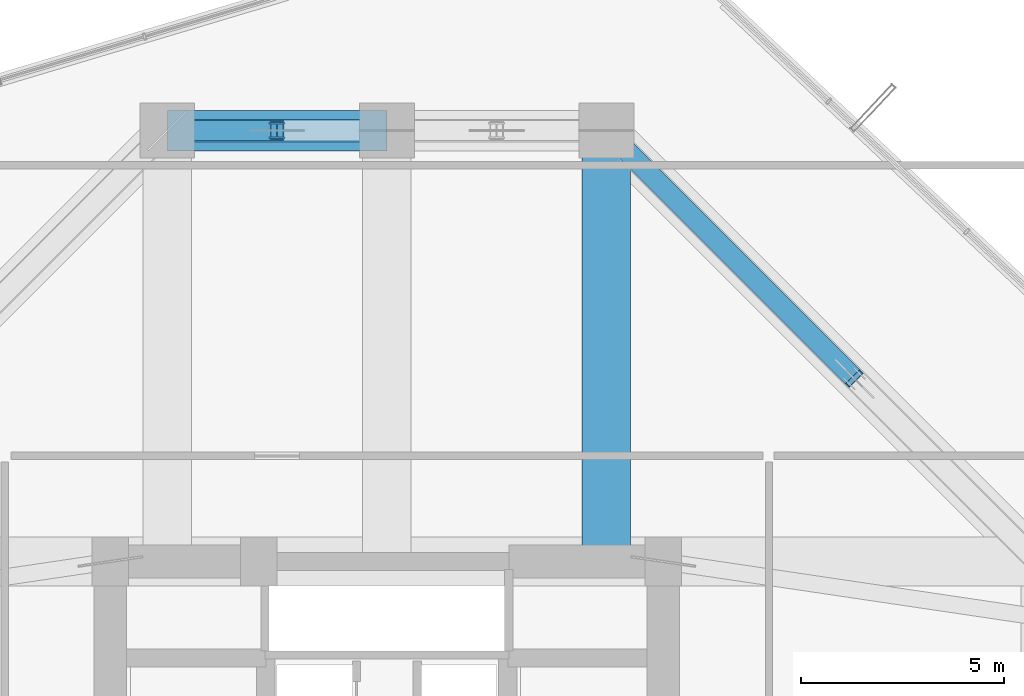
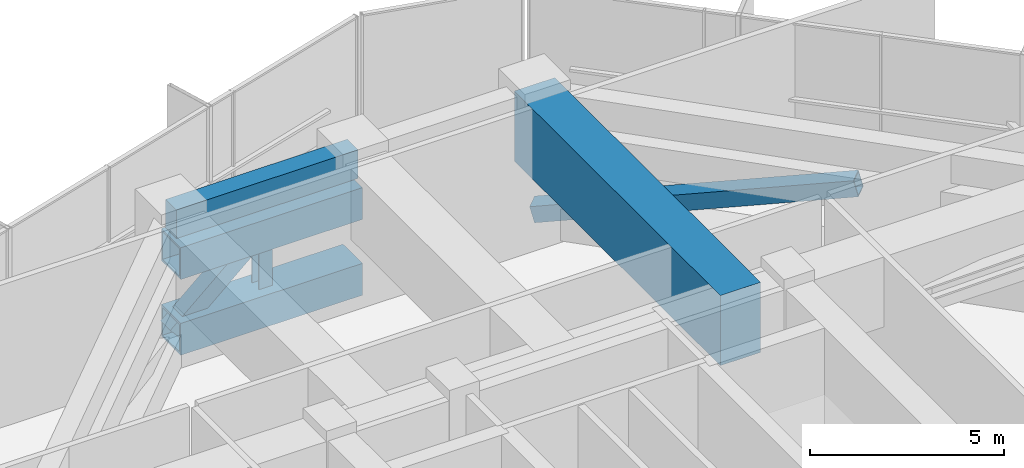
# One storey, part 26 of 41: 5 members, 2 beams.
"""IFC4 building model written with IfcOpenShell, lengths in metres."""

import ifcopenshell
import ifcopenshell.guid

model = None  # the IFC model being written
_history = None  # IfcOwnerHistory: only IFC2X3 demands one
_inside = {}  # id of a spatial element -> (the spatial element, [elements in it])
_under = {}  # id of a project, library or spatial element -> (it, [spatial elements below it])
_declared = {}  # id of a project -> (the project, [libraries it declares])
_typed = {}  # id of a type object -> (the type object, [elements of that type])
_made_of = {}  # id of a material, layer set ... -> (it, [elements and type objects made of it])


def new_model(schema):
    """Start an empty IFC model of exactly this schema.

    Asked for "IFC4X3", IfcOpenShell would pick the latest addendum, in which some entities
    have other attributes; the version numbers below select the first issue.
    IFC2X3 requires an IfcOwnerHistory on every rooted entity: one is made here for all.
    """
    global model, _history
    if schema == "IFC4X3":
        model = ifcopenshell.file(schema_version=(4, 3, 0, 0))
    else:
        model = ifcopenshell.file(schema=schema)
    _inside.clear()
    _under.clear()
    _declared.clear()
    _typed.clear()
    _made_of.clear()
    _history = None
    if model.schema == "IFC2X3":
        org = make("IfcOrganization", Name="unknown")
        user = make(
            "IfcPersonAndOrganization",
            ThePerson=make("IfcPerson", FamilyName="unknown"),
            TheOrganization=org,
        )
        app = make(
            "IfcApplication",
            ApplicationDeveloper=org,
            Version="unknown",
            ApplicationFullName="unknown",
            ApplicationIdentifier="unknown",
        )
        _history = make(
            "IfcOwnerHistory",
            OwningUser=user,
            OwningApplication=app,
            ChangeAction="ADDED",
            CreationDate=0,
        )
    return model


def make(cls, **values):
    """One entity of the class cls with the attributes given. An attribute that is None is left unset."""
    return model.create_entity(
        cls, **{name: value for name, value in values.items() if value is not None}
    )


def rooted(cls, **values):
    """An entity with a GlobalId (a new one), such as an element, a storey or a relation."""
    return make(cls, GlobalId=ifcopenshell.guid.new(), OwnerHistory=_history, **values)


def si_unit(unit_type, name, prefix=None):
    """IfcSIUnit, for example si_unit("LENGTHUNIT", "METRE", prefix="MILLI")."""
    return make("IfcSIUnit", UnitType=unit_type, Prefix=prefix, Name=name)


def assignment(units):
    """IfcUnitAssignment: the units of a project."""
    return None if units is None else make("IfcUnitAssignment", Units=units)


def point(xyz):
    """IfcCartesianPoint."""
    return None if xyz is None else make("IfcCartesianPoint", Coordinates=xyz)


def direction(xyz):
    """IfcDirection."""
    return None if xyz is None else make("IfcDirection", DirectionRatios=xyz)


def frame(location, z_axis=None, x_axis=None):
    """IfcAxis2Placement3D, a coordinate frame: its origin and axes. An axis left out is left unset."""
    return make(
        "IfcAxis2Placement3D",
        Location=point(location),
        Axis=direction(z_axis),
        RefDirection=direction(x_axis),
    )


def frame_2d(location, x_axis=None):
    """IfcAxis2Placement2D, a coordinate frame in the plane: its origin and x axis."""
    return make(
        "IfcAxis2Placement2D", Location=point(location), RefDirection=direction(x_axis)
    )


def origin():
    """The frame at (0, 0, 0) with its axes left unset."""
    return frame((0.0, 0.0, 0.0))


def origin_2d():
    """The frame at (0, 0) in the plane with its x axis left unset."""
    return frame_2d((0.0, 0.0))


def place(relative_to, where):
    """IfcLocalPlacement: puts the frame where relative to a parent placement (None: the world)."""
    return make(
        "IfcLocalPlacement", PlacementRelTo=relative_to, RelativePlacement=where
    )


def context(
    kind, dimensions, precision=None, world=None, true_north=None, identifier=None
):
    """IfcGeometricRepresentationContext, for example the 3D "Model" context."""
    return make(
        "IfcGeometricRepresentationContext",
        ContextIdentifier=identifier,
        ContextType=kind,
        CoordinateSpaceDimension=dimensions,
        Precision=precision,
        WorldCoordinateSystem=world,
        TrueNorth=true_north,
    )


def subcontext(parent, identifier, kind, view, scale=None):
    """IfcGeometricRepresentationSubContext, for example "Body" below "Model"."""
    return make(
        "IfcGeometricRepresentationSubContext",
        ContextIdentifier=identifier,
        ContextType=kind,
        ParentContext=parent,
        TargetScale=scale,
        TargetView=view,
    )


def project(units=None, contexts=None):
    """IfcProject with its units and contexts."""
    return rooted(
        "IfcProject",
        Name="project",
        RepresentationContexts=contexts,
        UnitsInContext=assignment(units),
    )


def spatial(cls, under=None, at=None, **own):
    """A site, building, storey or space (cls), placed at a placement, below another one or the project."""
    s = rooted(cls, ObjectPlacement=at, **own)
    if under is not None:
        _under.setdefault(under.id(), (under, []))[1].append(s)
    return s


def profile(cls, at=None, kind="AREA", **sizes):
    """A parametric profile (cls). Its sizes go by their IFC names, for example OverallWidth=200.0."""
    return make(cls, ProfileType=kind, Position=at, **sizes)


def rectangle(**sizes):
    """IfcRectangleProfileDef."""
    return profile("IfcRectangleProfileDef", **sizes)


def hollow_rectangle(**sizes):
    """IfcRectangleHollowProfileDef."""
    return profile("IfcRectangleHollowProfileDef", **sizes)


def i_section(**sizes):
    """IfcIShapeProfileDef."""
    return profile("IfcIShapeProfileDef", **sizes)


def extrude(swept, where, along, depth):
    """IfcExtrudedAreaSolid: the profile swept, set in the frame where, extruded along a direction by depth."""
    return make(
        "IfcExtrudedAreaSolid",
        SweptArea=swept,
        Position=where,
        ExtrudedDirection=direction(along),
        Depth=depth,
    )


def shape(context_of_items, identifier, shape_type, items):
    """IfcShapeRepresentation: the items that make up one representation, for example the "Body"."""
    return make(
        "IfcShapeRepresentation",
        ContextOfItems=context_of_items,
        RepresentationIdentifier=identifier,
        RepresentationType=shape_type,
        Items=items,
    )


def material(Name=None, Category=None):
    """IfcMaterial."""
    return make("IfcMaterial", Name=Name, Category=Category)


def material_profile(
    of_material, cross_section, Name=None, Category=None, Priority=None
):
    """IfcMaterialProfile: a cross section and its material."""
    return make(
        "IfcMaterialProfile",
        Name=Name,
        Material=of_material,
        Profile=cross_section,
        Priority=Priority,
        Category=Category,
    )


def profile_set(profiles, Name=None, composite=None):
    """IfcMaterialProfileSet."""
    return make(
        "IfcMaterialProfileSet",
        Name=Name,
        MaterialProfiles=profiles,
        CompositeProfile=composite,
    )


def made_of(thing, what):
    """Note that an element or type object is made of a material, layer set ...; save() writes the relation."""
    if what is not None:
        _made_of.setdefault(what.id(), (what, []))[1].append(thing)
    return thing


def type_object(cls, material=None, **own):
    """A type object (cls), such as IfcWallType, which elements share."""
    return made_of(rooted(cls, **own), material)


def element(
    cls,
    number,
    at=None,
    inside=None,
    cuts=None,
    type_object=None,
    material=None,
    context=None,
    identifier="Body",
    shape_type=None,
    held_by="IfcProductDefinitionShape",
    body=None,
    shapes=None,
    **own,
):
    """One element of the class cls, such as IfcWall. Its Tag is "e" and its number.

    at: its placement. inside: the storey or other place that contains it. cuts: it is an
    opening in that element (IfcRelVoidsElement). A single representation is given by context,
    identifier, shape_type and body (its items); several are given by shapes. held_by: the class
    of the entity that holds the representations. save() writes the other relations.
    """
    e = rooted(cls, Tag="e%d" % number, ObjectPlacement=at, **own)
    if body is not None:
        shapes = [shape(context, identifier, shape_type, body)]
    if shapes is not None:
        e.Representation = make(held_by, Representations=shapes)
    if inside is not None:
        _inside.setdefault(inside.id(), (inside, []))[1].append(e)
    if cuts is not None:
        rooted(
            "IfcRelVoidsElement", RelatingBuildingElement=cuts, RelatedOpeningElement=e
        )
    if type_object is not None:
        _typed.setdefault(type_object.id(), (type_object, []))[1].append(e)
    return made_of(e, material)


def aggregate(whole, parts):
    """IfcRelAggregates: a whole, such as a stair, and the parts it consists of."""
    return rooted("IfcRelAggregates", RelatingObject=whole, RelatedObjects=parts)


def save(model, path):
    """Write the relations noted so far, then the file.

    IfcRelAggregates (storeys below a building ...), IfcRelContainedInSpatialStructure (elements
    in a storey), IfcRelDefinesByType, IfcRelAssociatesMaterial and IfcRelDeclares: one each for
    every whole, place, type object, material and project.
    """
    for whole, parts in _under.values():
        aggregate(whole, parts)
    for where, things in _inside.values():
        rooted(
            "IfcRelContainedInSpatialStructure",
            RelatedElements=things,
            RelatingStructure=where,
        )
    for kind, things in _typed.values():
        rooted("IfcRelDefinesByType", RelatedObjects=things, RelatingType=kind)
    for what, things in _made_of.values():
        rooted("IfcRelAssociatesMaterial", RelatedObjects=things, RelatingMaterial=what)
    for by, libraries in _declared.values():
        rooted("IfcRelDeclares", RelatingContext=by, RelatedDefinitions=libraries)
    model.write(path)


model = new_model("IFC4")

# Units and contexts
model_context = context("Model", 3, precision=1e-05, world=origin(), true_north=direction((0.0, 1.0)))
body_context = subcontext(model_context, "Body", "Model", "MODEL_VIEW")
ifc_project = project(units=[si_unit("LENGTHUNIT", "METRE"), si_unit("AREAUNIT", "SQUARE_METRE"), si_unit("VOLUMEUNIT", "CUBIC_METRE"), si_unit("PLANEANGLEUNIT", "RADIAN"), si_unit("MASSUNIT", "GRAM", prefix="KILO")], contexts=[model_context])

# Site, building, storey
site_placement = place(None, origin())
site = spatial("IfcSite", under=ifc_project, at=site_placement, CompositionType="ELEMENT")
building_placement = place(site_placement, origin())
building = spatial("IfcBuilding", under=site, at=building_placement, Name="Veraguas Prism Commons", CompositionType="ELEMENT")
storey_placement = place(building_placement, frame((0.0, 0.0, 80.35009765625)))
storey = spatial("IfcBuildingStorey", under=building, at=storey_placement, Name="L22", CompositionType="ELEMENT", Elevation=80.35009765625)

# Members
ifc_material_1 = material(Name="Steel ASTM A913 Grade 65", Category="steel")
ifc_material_profile_1 = material_profile(ifc_material_1, hollow_rectangle(XDim=1.0, YDim=1.0, WallThickness=0.070068359375, at=origin_2d()), Name="BOX1000X1000X70")
ifc_profile_set_1 = profile_set([ifc_material_profile_1], Name="Steel ASTM A913 Grade 65")
member_type_1 = type_object("IfcMemberType", Name="Belt Truss Chord L22 Box 1000x1000x70", PredefinedType="CHORD", material=ifc_profile_set_1)
for number, where, z_axis, x_axis, name in (
    (1, (24.0, 41.60009765625, 0.5498046875), (-1.0, 0.0, 0.0), (0.0, -1.0, 0.0), "Perimeter Belt Truss Chord Bottom L22-05"),
    (2, (24.0, 41.60009765625, 2.929931640625), (-1.0, 0.0, 0.0), (0.0, -1.0, 0.0), "Perimeter Belt Truss Chord Top L22-05"),
):
    element("IfcMember", number, at=place(storey_placement, frame(where, z_axis=z_axis, x_axis=x_axis)), inside=storey, type_object=member_type_1, Name=name, PredefinedType="CHORD", context=body_context, shape_type="SweptSolid", body=[
        extrude(hollow_rectangle(XDim=1.0, YDim=1.0, WallThickness=0.070068359375, at=origin_2d()), origin(), (0.0, 0.0, 1.0), 5.39990234375),
    ])
ifc_material_2 = material(Name="Steel ASTM A992 Grade 50", Category="steel")
ifc_material_profile_2 = material_profile(ifc_material_2, i_section(OverallWidth=0.39794921875, OverallDepth=0.386962890625, WebThickness=0.01904296875, FlangeThickness=0.0302734375, at=origin_2d()), Name="W360X262")
ifc_profile_set_2 = profile_set([ifc_material_profile_2], Name="Steel ASTM A992 Grade 50")
member_type_2 = type_object("IfcMemberType", Name="Belt Truss Vertical Strut W360x262", PredefinedType="STRUT", material=ifc_profile_set_2)
member_1_placement = place(storey_placement, frame((21.300048828125, 41.60009765625, 0.5498046875), z_axis=(0.0, 0.0, 1.0), x_axis=(-1.0, 0.0, 0.0)))
element("IfcMember", 3, at=member_1_placement, inside=storey, type_object=member_type_2, Name="Perimeter Belt Truss Strut L22-05", PredefinedType="STRUT", context=body_context, shape_type="SweptSolid", body=[
    extrude(i_section(OverallWidth=0.39794921875, OverallDepth=0.386962890625, WebThickness=0.01904296875, FlangeThickness=0.0302734375, at=origin_2d()), origin(), (0.0, 0.0, 1.0), 2.380126953125),
])
ifc_material_3 = material(Name="Steel ASTM A572 Grade 50", Category="steel")
ifc_material_profile_3 = material_profile(ifc_material_3, hollow_rectangle(XDim=0.5, YDim=0.5, WallThickness=0.02490234375, at=origin_2d()), Name="BOX500X500X25")
ifc_profile_set_3 = profile_set([ifc_material_profile_3], Name="Steel ASTM A572 Grade 50")
member_type_3 = type_object("IfcMemberType", Name="Perimeter Belt Diagonal BOX 500x500x25", PredefinedType="BRACE", material=ifc_profile_set_3)
member_2_placement = place(storey_placement, frame((29.39990234375, 41.60009765625, 0.5498046875), z_axis=(0.681639462261, -0.681639462261, 0.265961062898), x_axis=(0.707106781187, 0.707106781187, 0.0)))
element("IfcMember", 4, at=member_2_placement, inside=storey, type_object=member_type_3, Name="Perimeter Belt Truss Brace L22-03B", PredefinedType="BRACE", context=body_context, shape_type="SweptSolid", body=[
    extrude(hollow_rectangle(XDim=0.5, YDim=0.5, WallThickness=0.02490234375, at=origin_2d()), origin(), (0.0, 0.0, 1.0), 8.94921875),
])
member_3_placement = place(storey_placement, frame((18.60009765625, 41.60009765625, 0.5498046875), z_axis=(0.750138660667, 0.0, 0.66128056812), x_axis=(0.0, 1.0, 0.0)))
element("IfcMember", 5, at=member_3_placement, inside=storey, type_object=member_type_3, Name="Perimeter Belt Truss Brace L22-05B", PredefinedType="BRACE", context=body_context, shape_type="SweptSolid", body=[
    extrude(hollow_rectangle(XDim=0.5, YDim=0.5, WallThickness=0.02490234375, at=origin_2d()), origin(), (0.0, 0.0, 1.0), 3.599365234375),
])

# Beams
ifc_material_4 = material(Name="Concrete C50/60", Category="concrete")
ifc_material_profile_4 = material_profile(ifc_material_4, rectangle(XDim=0.550048828125, YDim=0.89990234375, at=origin_2d()), Name="RC550X900")
ifc_profile_set_4 = profile_set([ifc_material_profile_4], Name="Concrete C50/60")
beam_type_1 = type_object("IfcBeamType", Name="Perimeter Spandrel Lower RC 550x900", PredefinedType="SPANDREL", material=ifc_profile_set_4)
beam_1_placement = place(storey_placement, frame((24.0, 41.60009765625, 4.02978515625), z_axis=(-1.0, 0.0, 0.0), x_axis=(0.0, -1.0, 0.0)))
element("IfcBeam", 6, at=beam_1_placement, inside=storey, type_object=beam_type_1, Name="Perimeter Spandrel Beam L22-SP05", PredefinedType="SPANDREL", context=body_context, shape_type="SweptSolid", body=[
    extrude(rectangle(XDim=0.550048828125, YDim=0.89990234375, at=origin_2d()), origin(), (0.0, 0.0, 1.0), 5.39990234375),
])
ifc_material_profile_5 = material_profile(ifc_material_4, rectangle(XDim=1.199951171875, YDim=2.199951171875, at=origin_2d()), Name="RC1200X2200")
ifc_profile_set_5 = profile_set([ifc_material_profile_5], Name="Concrete C50/60")
beam_type_2 = type_object("IfcBeamType", Name="Podium Transfer Girder RC 1200x2200", PredefinedType="BEAM", material=ifc_profile_set_5)
beam_2_placement = place(storey_placement, frame((29.39990234375, 41.60009765625, 3.3798828125), z_axis=(0.0, -1.0, 0.0), x_axis=(1.0, 0.0, 0.0)))
element("IfcBeam", 7, at=beam_2_placement, inside=storey, type_object=beam_type_2, Name="Setback Transfer Girder L22-04", PredefinedType="BEAM", context=body_context, shape_type="SweptSolid", body=[
    extrude(rectangle(XDim=1.199951171875, YDim=2.199951171875, at=origin_2d()), origin(), (0.0, 0.0, 1.0), 10.60009765625),
])

save(model, "model.ifc")
